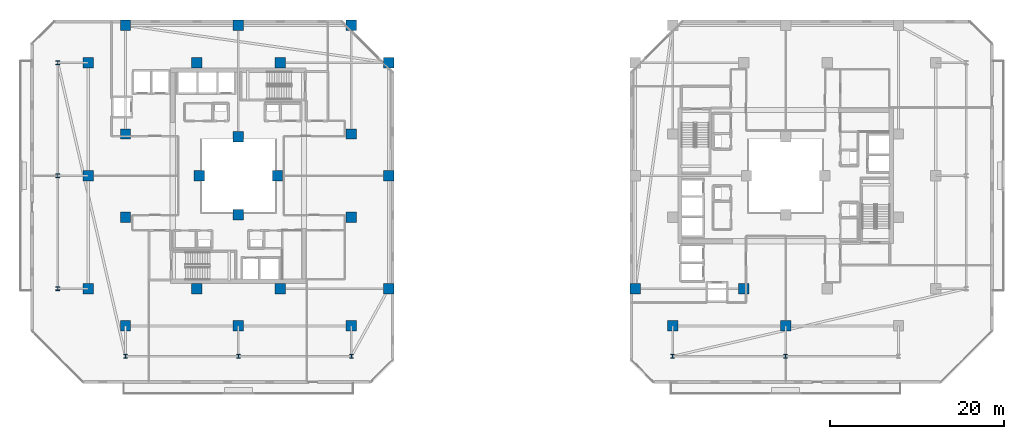
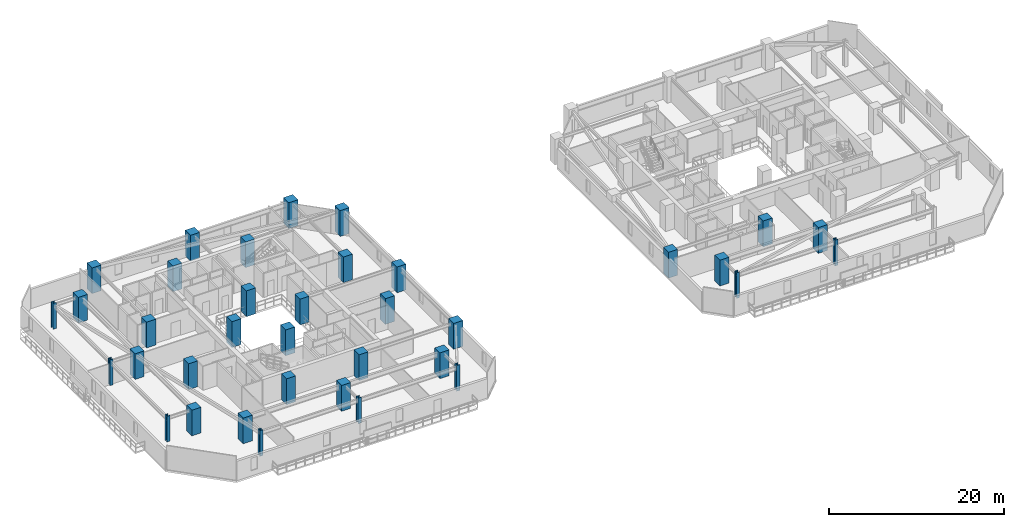
# One storey, part 1 of 32: 36 columns.
"""IFC4 building model written with IfcOpenShell, lengths in metres."""

from ifc_helpers import new_model, si_unit, direction, frame, origin, origin_2d, place, context, subcontext, project, spatial, rectangle, i_section, extrude, material, material_profile, profile_set, type_object, element, save


model = new_model("IFC4")

# Units and contexts
model_context = context("Model", 3, precision=1e-05, world=origin(), true_north=direction((0.0, 1.0)))
body_context = subcontext(model_context, "Body", "Model", "MODEL_VIEW")
ifc_project = project(units=[si_unit("LENGTHUNIT", "METRE"), si_unit("AREAUNIT", "SQUARE_METRE"), si_unit("VOLUMEUNIT", "CUBIC_METRE"), si_unit("PLANEANGLEUNIT", "RADIAN"), si_unit("MASSUNIT", "GRAM", prefix="KILO")], contexts=[model_context])

# Site, building, storey
site_placement = place(None, origin())
site = spatial("IfcSite", under=ifc_project, at=site_placement, CompositionType="ELEMENT")
building_placement = place(site_placement, origin())
building = spatial("IfcBuilding", under=site, at=building_placement, Name="Thornwick Lancets Civic Towers", CompositionType="ELEMENT")
storey_placement = place(building_placement, frame((0.0, 0.0, 123.300048828125)))
storey = spatial("IfcBuildingStorey", under=building, at=storey_placement, Name="L32", CompositionType="ELEMENT", Elevation=123.300048828125)

# Columns
ifc_material_1 = material(Name="Concrete C60/75", Category="concrete")
ifc_material_profile_1 = material_profile(ifc_material_1, rectangle(XDim=1.199951171875, YDim=1.199951171875, at=origin_2d()), Name="RC 1200x1200")
ifc_profile_set_1 = profile_set([ifc_material_profile_1], Name="Concrete C60/75")
column_type_1 = type_object("IfcColumnType", Name="COL_RC_1200", PredefinedType="COLUMN", material=ifc_profile_set_1)
for number, where, z_axis, x_axis, name in (
    (1, (12.5, 9.699951171875, 0.0), (0.0, 0.0, 1.0), (1.0, 0.0, 0.0), "L32 Spine Mega-Column A01"),
    (2, (25.5, 9.699951171875, 0.0), (0.0, 0.0, 1.0), (1.0, 0.0, 0.0), "L32 Spine Mega-Column A02"),
    (3, (38.5, 9.699951171875, 0.0), (0.0, 0.0, 1.0), (1.0, 0.0, 0.0), "L32 Spine Mega-Column A03"),
    (4, (42.800048828125, 14.0, 0.0), (0.0, 0.0, 1.0), (1.0, 0.0, 0.0), "L32 Spine Mega-Column A04"),
    (5, (42.800048828125, 27.0, 0.0), (0.0, 0.0, 1.0), (1.0, 0.0, 0.0), "L32 Spine Mega-Column A05"),
    (6, (42.800048828125, 40.0, 0.0), (0.0, 0.0, 1.0), (1.0, 0.0, 0.0), "L32 Spine Mega-Column A06"),
    (7, (12.5, 44.300048828125, 0.0), (0.0, 0.0, 1.0), (1.0, 0.0, 0.0), "L32 Spine Mega-Column A07"),
    (8, (25.5, 44.300048828125, 0.0), (0.0, 0.0, 1.0), (1.0, 0.0, 0.0), "L32 Spine Mega-Column A08"),
    (9, (38.5, 44.300048828125, 0.0), (0.0, 0.0, 1.0), (1.0, 0.0, 0.0), "L32 Spine Mega-Column A09"),
    (10, (8.199951171875, 14.0, 0.0), (0.0, 0.0, 1.0), (1.0, 0.0, 0.0), "L32 Spine Mega-Column A10"),
    (11, (8.199951171875, 27.0, 0.0), (0.0, 0.0, 1.0), (1.0, 0.0, 0.0), "L32 Spine Mega-Column A11"),
    (12, (8.199951171875, 40.0, 0.0), (0.0, 0.0, 1.0), (1.0, 0.0, 0.0), "L32 Spine Mega-Column A12"),
    (13, (12.5, 22.199951171875, 0.0), (0.0, 0.0, 1.0), (1.0, 0.0, 0.0), "L32 Spine Mega-Column A13"),
    (14, (38.5, 22.199951171875, 0.0), (0.0, 0.0, 1.0), (1.0, 0.0, 0.0), "L32 Spine Mega-Column A14"),
    (15, (12.5, 31.800048828125, 0.0), (0.0, 0.0, 1.0), (1.0, 0.0, 0.0), "L32 Spine Mega-Column A15"),
    (16, (38.5, 31.800048828125, 0.0), (0.0, 0.0, 1.0), (1.0, 0.0, 0.0), "L32 Spine Mega-Column A16"),
    (17, (20.699951171875, 14.0, 0.0), (0.0, 0.0, 1.0), (1.0, 0.0, 0.0), "L32 Spine Mega-Column A17"),
    (18, (30.300048828125, 14.0, 0.0), (0.0, 0.0, 1.0), (1.0, 0.0, 0.0), "L32 Spine Mega-Column A18"),
    (19, (20.699951171875, 40.0, 0.0), (0.0, 0.0, 1.0), (1.0, 0.0, 0.0), "L32 Spine Mega-Column A19"),
    (20, (30.300048828125, 40.0, 0.0), (0.0, 0.0, 1.0), (1.0, 0.0, 0.0), "L32 Spine Mega-Column A20"),
    (21, (25.5, 22.5, 0.0), (0.0, 0.0, 1.0), (1.0, 0.0, 0.0), "L32 Spine Mega-Column A21"),
    (22, (25.5, 31.5, 0.0), (0.0, 0.0, 1.0), (1.0, 0.0, 0.0), "L32 Spine Mega-Column A22"),
    (23, (21.0, 27.0, 0.0), (0.0, 0.0, 1.0), (1.0, 0.0, 0.0), "L32 Spine Mega-Column A23"),
    (24, (30.0, 27.0, 0.0), (0.0, 0.0, 1.0), (1.0, 0.0, 0.0), "L32 Spine Mega-Column A24"),
    (25, (71.199951171875, 14.0, 0.0), (0.0, 0.0, 1.0), (1.0, 0.0, 0.0), "L32 Spine Mega-Column B07"),
    (26, (88.5, 9.699951171875, 0.0), (0.0, 0.0, 1.0), (1.0, 0.0, 0.0), "L32 Spine Mega-Column B11"),
    (27, (75.5, 9.699951171875, 0.0), (0.0, 0.0, 1.0), (1.0, 0.0, 0.0), "L32 Spine Mega-Column B12"),
    (28, (83.699951171875, 14.0, 0.0), (0.0, 0.0, 1.0), (1.0, 0.0, 0.0), "L32 Spine Mega-Column B15"),
):
    element("IfcColumn", number, at=place(storey_placement, frame(where, z_axis=z_axis, x_axis=x_axis)), inside=storey, type_object=column_type_1, Name=name, PredefinedType="COLUMN", context=body_context, shape_type="SweptSolid", body=[
        extrude(rectangle(XDim=1.199951171875, YDim=1.199951171875, at=origin_2d()), origin(), (0.0, 0.0, 1.0), 3.599853515625),
    ])
ifc_material_2 = material(Name="Steel S460M", Category="steel")
ifc_material_profile_2 = material_profile(ifc_material_2, i_section(OverallWidth=0.41845703125, OverallDepth=0.45556640625, WebThickness=0.0419921875, FlangeThickness=0.0673828125, FilletRadius=0.01513671875, at=origin_2d()), Name="UKC 356x406x551")
ifc_profile_set_2 = profile_set([ifc_material_profile_2], Name="Steel S460M")
column_type_2 = type_object("IfcColumnType", Name="COL_UKC_551", PredefinedType="COLUMN", material=ifc_profile_set_2)
for number, where, z_axis, x_axis, name in (
    (29, (12.5, 6.199951171875, 0.0), (0.0, 0.0, 1.0), (1.0, 0.0, 0.0), "L32 Block Perimeter Column A01"),
    (30, (25.5, 6.199951171875, 0.0), (0.0, 0.0, 1.0), (1.0, 0.0, 0.0), "L32 Block Perimeter Column A02"),
    (31, (38.5, 6.199951171875, 0.0), (0.0, 0.0, 1.0), (1.0, 0.0, 0.0), "L32 Block Perimeter Column A03"),
    (32, (4.699951171875, 14.0, 0.0), (0.0, 0.0, 1.0), (1.0, 0.0, 0.0), "L32 Block Perimeter Column A10"),
    (33, (4.699951171875, 27.0, 0.0), (0.0, 0.0, 1.0), (1.0, 0.0, 0.0), "L32 Block Perimeter Column A11"),
    (34, (4.699951171875, 40.0, 0.0), (0.0, 0.0, 1.0), (1.0, 0.0, 0.0), "L32 Block Perimeter Column A12"),
    (35, (88.5, 6.199951171875, 0.0), (0.0, 0.0, 1.0), (1.0, 0.0, 0.0), "L32 Block Perimeter Column B11"),
    (36, (75.5, 6.199951171875, 0.0), (0.0, 0.0, 1.0), (1.0, 0.0, 0.0), "L32 Block Perimeter Column B12"),
):
    element("IfcColumn", number, at=place(storey_placement, frame(where, z_axis=z_axis, x_axis=x_axis)), inside=storey, type_object=column_type_2, Name=name, PredefinedType="COLUMN", context=body_context, shape_type="SweptSolid", body=[
        extrude(i_section(OverallWidth=0.41845703125, OverallDepth=0.45556640625, WebThickness=0.0419921875, FlangeThickness=0.0673828125, FilletRadius=0.01513671875, at=origin_2d()), origin(), (0.0, 0.0, 1.0), 3.599853515625),
    ])

save(model, "model.ifc")
